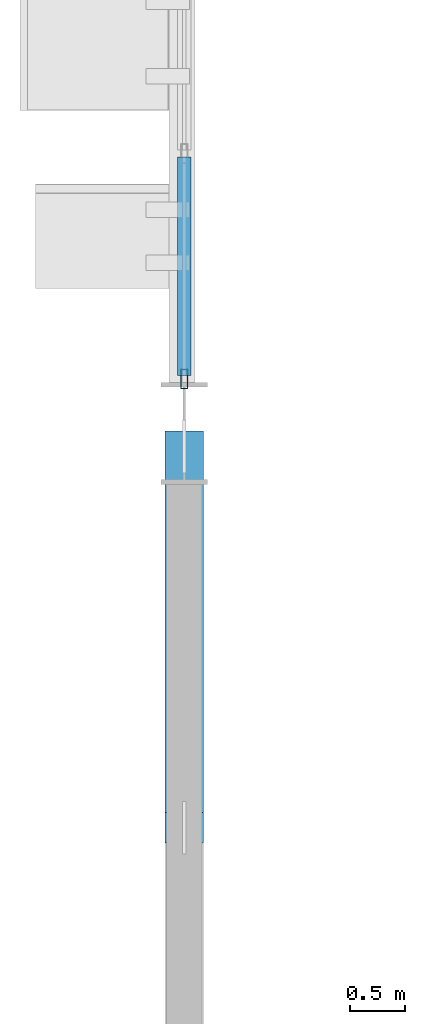
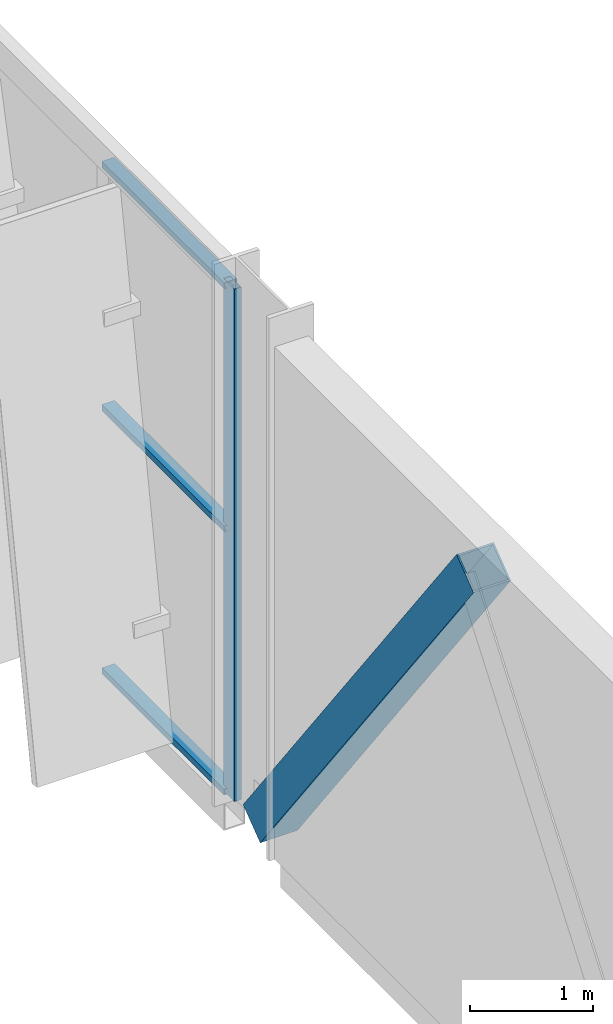
# One storey, part 17 of 189: 5 members, 1 element without a shape of its own.
"""IFC4 building model written with IfcOpenShell, lengths in metres."""

from ifc_helpers import new_model, si_unit, direction, frame, origin, origin_2d, place, context, subcontext, project, spatial, hollow_rectangle, extrude, material, layer, layer_set, material_profile, profile_set, type_object, element, aggregate, save


model = new_model("IFC4")

# Units and contexts
model_context = context("Model", 3, precision=1e-05, world=origin(), true_north=direction((0.0, 1.0)))
body_context = subcontext(model_context, "Body", "Model", "MODEL_VIEW")
ifc_project = project(units=[si_unit("LENGTHUNIT", "METRE"), si_unit("AREAUNIT", "SQUARE_METRE"), si_unit("VOLUMEUNIT", "CUBIC_METRE"), si_unit("PLANEANGLEUNIT", "RADIAN"), si_unit("MASSUNIT", "GRAM", prefix="KILO")], contexts=[model_context])

# Site, building, storey
site_placement = place(None, origin())
site = spatial("IfcSite", under=ifc_project, at=site_placement, CompositionType="ELEMENT")
building_placement = place(site_placement, origin())
building = spatial("IfcBuilding", under=site, at=building_placement, Name="Celestram Park Convention Centre", CompositionType="ELEMENT")
storey_placement = place(building_placement, frame((0.0, 0.0, 5.39990234375)))
storey = spatial("IfcBuildingStorey", under=building, at=storey_placement, Name="L01", CompositionType="ELEMENT", Elevation=5.39990234375)

# Curtain wall, members
ifc_material_1 = material(Name="Anodised Aluminium Alloy 6063-T6", Category="aluminium")
ifc_layer = layer(ifc_material_1, 0.179931640625)
ifc_layer_set = layer_set([ifc_layer], Name="Anodised Aluminium Alloy 6063-T6")
curtain_wall_type = type_object("IfcCurtainWallType", Name="ARC-CW-627X510", PredefinedType="NOTDEFINED", material=ifc_layer_set)
curtain_wall_placement = place(storey_placement, origin())
curtain_wall = element("IfcCurtainWall", 1, at=curtain_wall_placement, inside=storey, type_object=curtain_wall_type, Name="Unitised curtain wall CU-L01-113", PredefinedType="NOTDEFINED")
ifc_material_profile_1 = material_profile(ifc_material_1, hollow_rectangle(XDim=0.06494140625, YDim=0.179931640625, WallThickness=0.00390625, at=origin_2d()), Name="ALU65X180X4")
ifc_profile_set_1 = profile_set([ifc_material_profile_1], Name="Anodised Aluminium Alloy 6063-T6")
member_type_1 = type_object("IfcMemberType", Name="ARC-CWM-150", PredefinedType="MULLION", material=ifc_profile_set_1)
member_1_placement = place(storey_placement, frame((0.0, 29.29638671875, 0.0), z_axis=(0.0, 0.0, 1.0), x_axis=(-1.0, 0.0, 0.0)))
member_1 = element("IfcMember", 2, at=member_1_placement, type_object=member_type_1, Name="CW-62X51 mullion 1", PredefinedType="MULLION", context=body_context, shape_type="SweptSolid", body=[
    extrude(hollow_rectangle(XDim=0.06494140625, YDim=0.179931640625, WallThickness=0.00390625, at=origin_2d()), origin(), (0.0, 0.0, 1.0), 5.10009765625),
])
ifc_material_profile_2 = material_profile(ifc_material_1, hollow_rectangle(XDim=0.1201171875, YDim=0.06005859375, WallThickness=0.0029296875, at=origin_2d()), Name="ALU120X60X3")
ifc_profile_set_2 = profile_set([ifc_material_profile_2], Name="Anodised Aluminium Alloy 6063-T6")
member_type_2 = type_object("IfcMemberType", Name="ARC-CWT-120", PredefinedType="USERDEFINED", material=ifc_profile_set_2)
member_2_placement = place(storey_placement, frame((0.0, 29.3291015625, 0.030029296875), z_axis=(0.0, 1.0, 0.0), x_axis=(-1.0, 0.0, 0.0)))
member_2 = element("IfcMember", 3, at=member_2_placement, type_object=member_type_2, Name="CW-62X51 transom 1.1", ObjectType="TRANSOM", PredefinedType="USERDEFINED", context=body_context, shape_type="SweptSolid", body=[
    extrude(hollow_rectangle(XDim=0.1201171875, YDim=0.06005859375, WallThickness=0.0029296875, at=origin_2d()), origin(), (0.0, 0.0, 1.0), 1.9931640625),
])
member_3_placement = place(storey_placement, frame((0.0, 29.3291015625, 2.650146484375), z_axis=(0.0, 1.0, 0.0), x_axis=(-1.0, 0.0, 0.0)))
member_3 = element("IfcMember", 4, at=member_3_placement, type_object=member_type_2, Name="CW-62X51 transom 1.2", ObjectType="TRANSOM", PredefinedType="USERDEFINED", context=body_context, shape_type="SweptSolid", body=[
    extrude(hollow_rectangle(XDim=0.1201171875, YDim=0.06005859375, WallThickness=0.0029296875, at=origin_2d()), origin(), (0.0, 0.0, 1.0), 1.9931640625),
])
member_4_placement = place(storey_placement, frame((0.0, 29.3291015625, 5.070068359375), z_axis=(0.0, 1.0, 0.0), x_axis=(-1.0, 0.0, 0.0)))
member_4 = element("IfcMember", 5, at=member_4_placement, type_object=member_type_2, Name="CW-62X51 transom 1.3", ObjectType="TRANSOM", PredefinedType="USERDEFINED", context=body_context, shape_type="SweptSolid", body=[
    extrude(hollow_rectangle(XDim=0.1201171875, YDim=0.06005859375, WallThickness=0.0029296875, at=origin_2d()), origin(), (0.0, 0.0, 1.0), 1.9931640625),
])
aggregate(curtain_wall, [member_1, member_2, member_3, member_4])

# Member
ifc_material_2 = material(Name="Steel ASTM A500 Grade C", Category="steel")
ifc_material_profile_3 = material_profile(ifc_material_2, hollow_rectangle(XDim=0.35009765625, YDim=0.35009765625, WallThickness=0.01611328125, at=origin_2d()), Name="HSS350X350X16")
ifc_profile_set_3 = profile_set([ifc_material_profile_3], Name="Steel ASTM A500 Grade C")
member_type_3 = type_object("IfcMemberType", Name="STR-BRC-HSS350", PredefinedType="BRACE", material=ifc_profile_set_3)
member_5_placement = place(storey_placement, frame((0.0, 28.679931640625, 0.150146484375), z_axis=(0.0, -0.60333355325, 0.797488948841), x_axis=(1.0, 0.0, 0.0)))
element("IfcMember", 6, at=member_5_placement, inside=storey, type_object=member_type_3, Name="Chevron braced-frame diagonal BF-L01-004", PredefinedType="BRACE", context=body_context, shape_type="SweptSolid", body=[
    extrude(hollow_rectangle(XDim=0.35009765625, YDim=0.35009765625, WallThickness=0.01611328125, at=origin_2d()), origin(), (0.0, 0.0, 1.0), 5.767822265625),
])

save(model, "model.ifc")
